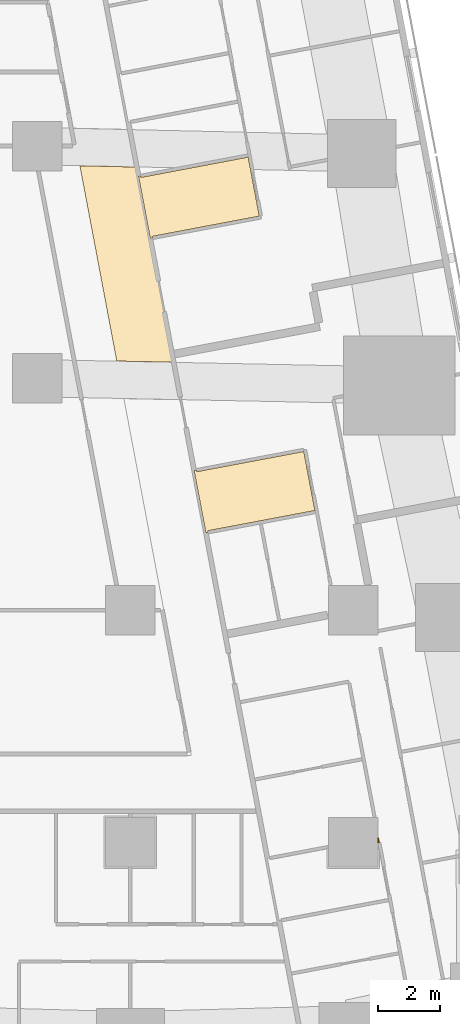
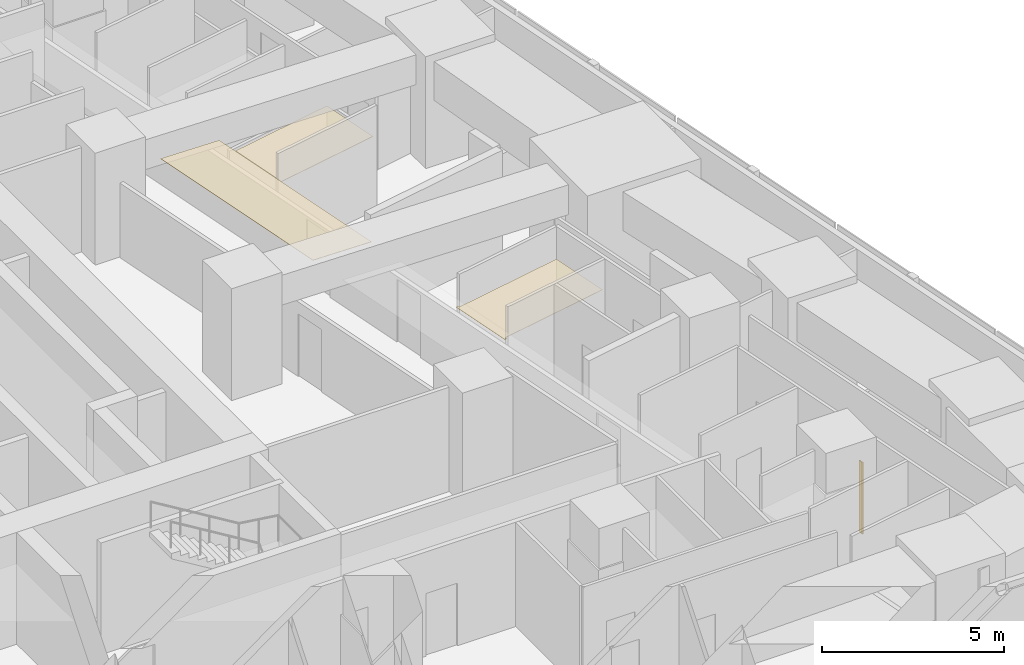
# One storey, part 16 of 17: 4 coverings.
"""IFC4 building model written with IfcOpenShell, lengths in metres."""

from ifc_helpers import new_model, si_unit, direction, frame, origin, place, context, subcontext, project, spatial, polyline, outline, extrude, material, layer, layer_set, type_object, element, save


model = new_model("IFC4")

# Units and contexts
model_context = context("Model", 3, precision=1e-05, world=origin(), true_north=direction((0.0, 1.0)))
body_context = subcontext(model_context, "Body", "Model", "MODEL_VIEW")
ifc_project = project(units=[si_unit("LENGTHUNIT", "METRE"), si_unit("AREAUNIT", "SQUARE_METRE"), si_unit("VOLUMEUNIT", "CUBIC_METRE"), si_unit("PLANEANGLEUNIT", "RADIAN"), si_unit("MASSUNIT", "GRAM", prefix="KILO")], contexts=[model_context])

# Site, building, storey
site_placement = place(None, origin())
site = spatial("IfcSite", under=ifc_project, at=site_placement, CompositionType="ELEMENT")
building_placement = place(site_placement, origin())
building = spatial("IfcBuilding", under=site, at=building_placement, Name="Sheger Commons Tower", CompositionType="ELEMENT")
storey_placement = place(building_placement, frame((0.0, 0.0, 111.64990234375)))
storey = spatial("IfcBuildingStorey", under=building, at=storey_placement, Name="L28", CompositionType="ELEMENT", Elevation=111.64990234375)

# Coverings
ifc_material_1 = material(Name="Moisture-resistant gypsum plasterboard 15 mm on a suspended galvanised steel grid", Category="steel")
ifc_layer_1 = layer(ifc_material_1, 0.014892578125)
ifc_layer_set_1 = layer_set([ifc_layer_1], Name="MOISTURE-RESISTANT CEILING 15")
covering_type_1 = type_object("IfcCoveringType", Name="MOISTURE-RESISTANT CEILING 15", PredefinedType="CEILING", material=ifc_layer_set_1)
covering_1_placement = place(storey_placement, frame((0.0, 0.0, 2.400146484375)))
element("IfcCovering", 1, at=covering_1_placement, inside=storey, type_object=covering_type_1, Name="L28-07.B1 ceiling", PredefinedType="CEILING", context=body_context, shape_type="SweptSolid", body=[
    extrude(outline(polyline([(36.64697265625, 27.014892578125), (36.715087890625, 27.028076171875), (36.705078125, 27.08203125), (40.1689453125, 27.737060546875), (39.80908203125, 29.64306640625), (36.344970703125, 28.988037109375), (36.3349609375, 29.04296875), (36.26611328125, 29.030029296875), (36.64697265625, 27.014892578125)])), origin(), (0.0, 0.0, 1.0), 0.014892578125),
])
covering_2_placement = place(storey_placement, frame((0.0, 0.0, 2.400146484375)))
element("IfcCovering", 2, at=covering_2_placement, inside=storey, type_object=covering_type_1, Name="L28-08.B1 ceiling", PredefinedType="CEILING", context=body_context, shape_type="SweptSolid", body=[
    extrude(outline(polyline([(38.444091796875, 17.5009765625), (38.511962890625, 17.513916015625), (38.501953125, 17.568115234375), (41.966064453125, 18.222900390625), (41.60595703125, 20.12890625), (38.14208984375, 19.47509765625), (38.132080078125, 19.529052734375), (38.06298828125, 19.51611328125), (38.444091796875, 17.5009765625)])), origin(), (0.0, 0.0, 1.0), 0.014892578125),
])
ifc_material_2 = material(Name="Gypsum plasterboard 15 mm on a suspended steel grid", Category="steel")
ifc_layer_2 = layer(ifc_material_2, 0.014892578125)
ifc_layer_set_2 = layer_set([ifc_layer_2], Name="SUSPENDED CEILING 15")
covering_type_2 = type_object("IfcCoveringType", Name="SUSPENDED CEILING 15", PredefinedType="CEILING", material=ifc_layer_set_2)
covering_3_placement = place(storey_placement, frame((0.0, 0.0, 2.7001953125)))
element("IfcCovering", 3, at=covering_3_placement, inside=storey, type_object=covering_type_2, Name="L28-CO ceiling", PredefinedType="CEILING", context=body_context, shape_type="SweptSolid", body=[
    extrude(outline(polyline([(37.402099609375, 23.01611328125), (36.2109375, 29.322021484375), (34.37109375, 29.364013671875), (35.56298828125, 23.052978515625), (37.402099609375, 23.01611328125)])), origin(), (0.0, 0.0, 1.0), 0.014892578125),
])
ifc_material_3 = material(Name="Moisture-resistant gypsum board 12.5 mm on 25 mm treated timber battens, tanked and tiled", Category="wood")
ifc_layer_3 = layer(ifc_material_3, 0.050048828125)
ifc_layer_set_3 = layer_set([ifc_layer_3], Name="WET-ROOM COLUMN LINING")
covering_type_3 = type_object("IfcCoveringType", Name="WET-ROOM COLUMN LINING", PredefinedType="CLADDING", material=ifc_layer_set_3)
covering_4_placement = place(storey_placement, origin())
element("IfcCovering", 4, at=covering_4_placement, inside=storey, type_object=covering_type_3, Name="Bathroom column lining C9 L28", PredefinedType="CLADDING", context=body_context, shape_type="SweptSolid", body=[
    extrude(outline(polyline([(44.0, 7.652099609375), (44.01806640625, 7.655029296875), (44.049072265625, 7.490966796875), (44.0, 7.48193359375), (44.0, 7.652099609375)])), origin(), (0.0, 0.0, 1.0), 2.400146484375),
])

save(model, "model.ifc")
